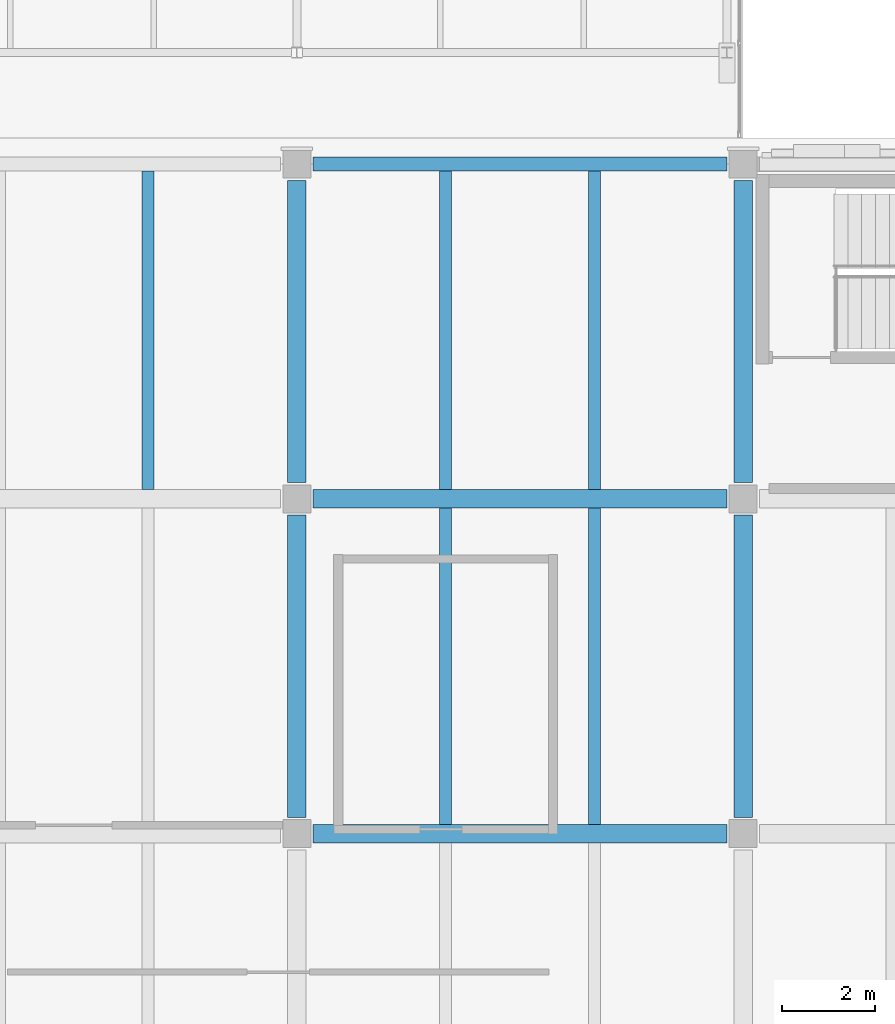
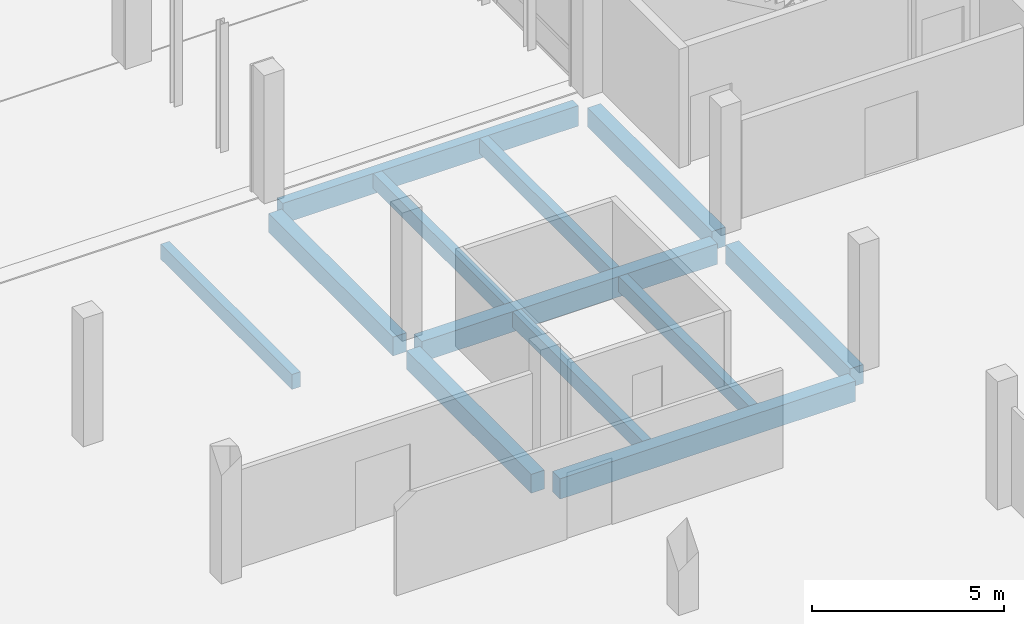
# One storey, part 15 of 134: 12 beams.
"""IFC4 building model written with IfcOpenShell, lengths in metres."""

from ifc_helpers import new_model, si_unit, direction, frame, origin, origin_2d, place, context, subcontext, project, spatial, rectangle, extrude, material, material_profile, profile_set, type_object, element, save


model = new_model("IFC4")

# Units and contexts
model_context = context("Model", 3, precision=1e-05, world=origin(), true_north=direction((0.0, 1.0)))
body_context = subcontext(model_context, "Body", "Model", "MODEL_VIEW")
ifc_project = project(units=[si_unit("LENGTHUNIT", "METRE"), si_unit("AREAUNIT", "SQUARE_METRE"), si_unit("VOLUMEUNIT", "CUBIC_METRE"), si_unit("PLANEANGLEUNIT", "RADIAN"), si_unit("MASSUNIT", "GRAM", prefix="KILO")], contexts=[model_context])

# Site, building, storey
site_placement = place(None, origin())
site = spatial("IfcSite", under=ifc_project, at=site_placement, CompositionType="ELEMENT")
building_placement = place(site_placement, origin())
building = spatial("IfcBuilding", under=site, at=building_placement, Name="Asteropetra Specialist Clinic", CompositionType="ELEMENT")
storey_placement = place(building_placement, frame((0.0, 0.0, 8.5)))
storey = spatial("IfcBuildingStorey", under=building, at=storey_placement, Name="L02", CompositionType="ELEMENT", Elevation=8.5)

# Beams
ifc_material_1 = material(Name="Concrete C35/45", Category="concrete")
ifc_material_profile_1 = material_profile(ifc_material_1, rectangle(XDim=0.39990234375, YDim=0.60009765625, at=origin_2d()), Name="RCB 400x600")
ifc_profile_set_1 = profile_set([ifc_material_profile_1], Name="Concrete C35/45")
beam_type_1 = type_object("IfcBeamType", Name="BM-RC400x600", PredefinedType="BEAM", material=ifc_profile_set_1)
for number, where, z_axis, x_axis, name in (
    (1, (19.199951171875, 48.35009765625, -0.60009765625), (0.0, 1.0, 0.0), (-1.0, 0.0, 0.0), "Beam BBM08-1097"),
    (2, (28.800048828125, 48.35009765625, -0.60009765625), (0.0, 1.0, 0.0), (-1.0, 0.0, 0.0), "Beam BBM08-1098"),
    (3, (19.199951171875, 55.550048828125, -0.60009765625), (0.0, 1.0, 0.0), (-1.0, 0.0, 0.0), "Beam BBM08-1109"),
    (4, (28.800048828125, 55.550048828125, -0.60009765625), (0.0, 1.0, 0.0), (-1.0, 0.0, 0.0), "Beam BBM08-1110"),
):
    element("IfcBeam", number, at=place(storey_placement, frame(where, z_axis=z_axis, x_axis=x_axis)), inside=storey, type_object=beam_type_1, Name=name, PredefinedType="BEAM", context=body_context, shape_type="SweptSolid", body=[
        extrude(rectangle(XDim=0.39990234375, YDim=0.60009765625, at=origin_2d()), origin(), (0.0, 0.0, 1.0), 6.5),
    ])
ifc_material_2 = material(Name="Concrete C35/45", Category="concrete")
ifc_material_profile_2 = material_profile(ifc_material_2, rectangle(XDim=0.39990234375, YDim=0.64990234375, at=origin_2d()), Name="RCB 400x650")
ifc_profile_set_2 = profile_set([ifc_material_profile_2], Name="Concrete C35/45")
beam_type_2 = type_object("IfcBeamType", Name="BM-RC400x650", PredefinedType="BEAM", material=ifc_profile_set_2)
for number, where, z_axis, x_axis, name in (
    (5, (19.550048828125, 48.0, -0.625), (1.0, 0.0, 0.0), (0.0, 1.0, 0.0), "Beam BBM07-1063"),
    (6, (19.550048828125, 55.199951171875, -0.625), (1.0, 0.0, 0.0), (0.0, 1.0, 0.0), "Beam BBM07-1067"),
):
    element("IfcBeam", number, at=place(storey_placement, frame(where, z_axis=z_axis, x_axis=x_axis)), inside=storey, type_object=beam_type_2, Name=name, PredefinedType="BEAM", context=body_context, shape_type="SweptSolid", body=[
        extrude(rectangle(XDim=0.39990234375, YDim=0.64990234375, at=origin_2d()), origin(), (0.0, 0.0, 1.0), 8.89990234375),
    ])
ifc_material_3 = material(Name="Concrete C35/45", Category="concrete")
ifc_material_profile_3 = material_profile(ifc_material_3, rectangle(XDim=0.260009765625, YDim=0.47998046875, at=origin_2d()), Name="RCJ 260x480")
ifc_profile_set_3 = profile_set([ifc_material_profile_3], Name="Concrete C35/45")
beam_type_3 = type_object("IfcBeamType", Name="JST-RC260x480", PredefinedType="JOIST", material=ifc_profile_set_3)
for number, where, z_axis, x_axis, name in (
    (7, (22.39990234375, 48.199951171875, -0.5400390625), (0.0, 1.0, 0.0), (-1.0, 0.0, 0.0), "Joist JJST02-1103"),
    (8, (25.60009765625, 48.199951171875, -0.5400390625), (0.0, 1.0, 0.0), (-1.0, 0.0, 0.0), "Joist JJST02-1104"),
):
    element("IfcBeam", number, at=place(storey_placement, frame(where, z_axis=z_axis, x_axis=x_axis)), inside=storey, type_object=beam_type_3, Name=name, PredefinedType="JOIST", context=body_context, shape_type="SweptSolid", body=[
        extrude(rectangle(XDim=0.260009765625, YDim=0.47998046875, at=origin_2d()), origin(), (0.0, 0.0, 1.0), 6.800048828125),
    ])
for number, where, z_axis, x_axis, name in (
    (9, (16.0, 55.39990234375, -0.5400390625), (0.0, 1.0, 0.0), (-1.0, 0.0, 0.0), "Joist JJST02-1114"),
    (10, (22.39990234375, 55.39990234375, -0.5400390625), (0.0, 1.0, 0.0), (-1.0, 0.0, 0.0), "Joist JJST02-1115"),
    (11, (25.60009765625, 55.39990234375, -0.5400390625), (0.0, 1.0, 0.0), (-1.0, 0.0, 0.0), "Joist JJST02-1116"),
):
    element("IfcBeam", number, at=place(storey_placement, frame(where, z_axis=z_axis, x_axis=x_axis)), inside=storey, type_object=beam_type_3, Name=name, PredefinedType="JOIST", context=body_context, shape_type="SweptSolid", body=[
        extrude(rectangle(XDim=0.260009765625, YDim=0.47998046875, at=origin_2d()), origin(), (0.0, 0.0, 1.0), 6.85009765625),
    ])
ifc_material_4 = material(Name="Concrete C35/45", Category="concrete")
ifc_material_profile_4 = material_profile(ifc_material_4, rectangle(XDim=0.300048828125, YDim=0.64990234375, at=origin_2d()), Name="RCS 300x650")
ifc_profile_set_4 = profile_set([ifc_material_profile_4], Name="Concrete C35/45")
beam_type_4 = type_object("IfcBeamType", Name="SPN-RC300x650", PredefinedType="SPANDREL", material=ifc_profile_set_4)
beam_placement = place(storey_placement, frame((19.550048828125, 62.39990234375, -0.625), z_axis=(1.0, 0.0, 0.0), x_axis=(0.0, 1.0, 0.0)))
element("IfcBeam", 12, at=beam_placement, inside=storey, type_object=beam_type_4, Name="Beam BSPN03-1071", PredefinedType="SPANDREL", context=body_context, shape_type="SweptSolid", body=[
    extrude(rectangle(XDim=0.300048828125, YDim=0.64990234375, at=origin_2d()), origin(), (0.0, 0.0, 1.0), 8.89990234375),
])

save(model, "model.ifc")
